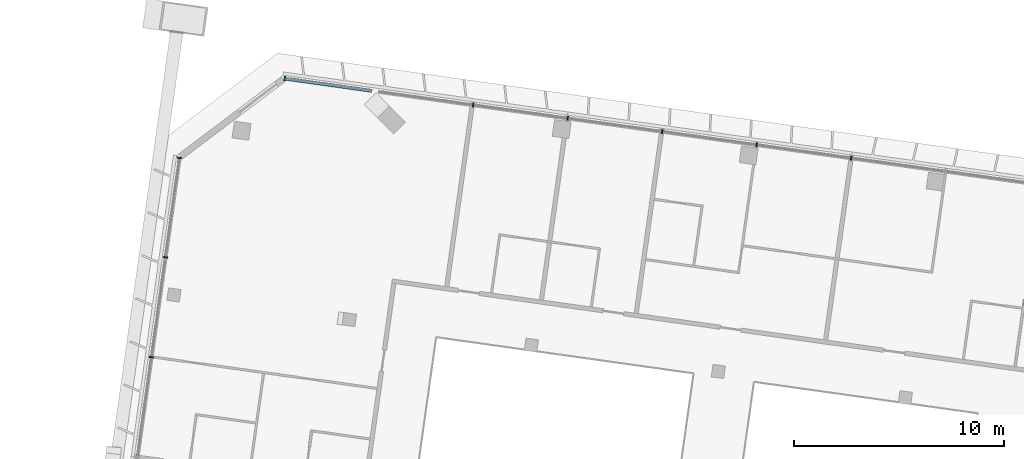
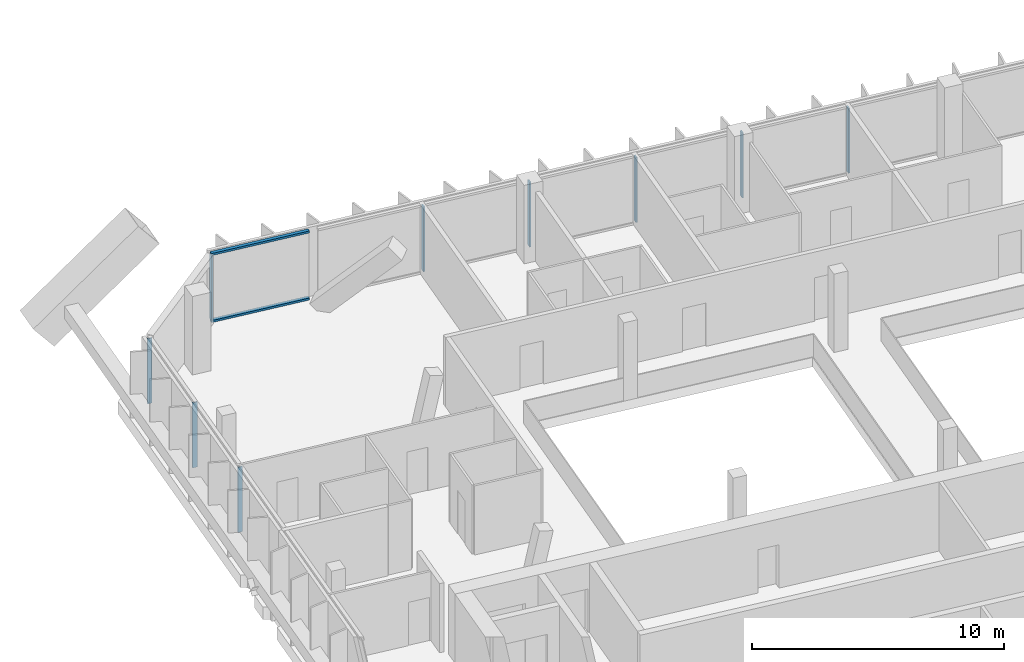
# One storey, part 4 of 32: 11 members, 2 elements without a shape of their own.
"""IFC4 building model written with IfcOpenShell, lengths in metres."""

from ifc_helpers import new_model, si_unit, direction, frame, origin, origin_2d, place, context, subcontext, project, spatial, rectangle, extrude, material, material_profile, profile_set, type_object, element, aggregate, save


model = new_model("IFC4")

# Units and contexts
model_context = context("Model", 3, precision=1e-05, world=origin(), true_north=direction((0.0, 1.0)))
body_context = subcontext(model_context, "Body", "Model", "MODEL_VIEW")
ifc_project = project(units=[si_unit("LENGTHUNIT", "METRE"), si_unit("AREAUNIT", "SQUARE_METRE"), si_unit("VOLUMEUNIT", "CUBIC_METRE"), si_unit("PLANEANGLEUNIT", "RADIAN"), si_unit("MASSUNIT", "GRAM", prefix="KILO")], contexts=[model_context])

# Site, building, storey
site_placement = place(None, origin())
site = spatial("IfcSite", under=ifc_project, at=site_placement, CompositionType="ELEMENT")
building_placement = place(site_placement, origin())
building = spatial("IfcBuilding", under=site, at=building_placement, Name="Mirante Cascada Hotel Towers", CompositionType="ELEMENT")
storey_placement = place(building_placement, frame((0.0, 0.0, 176.4)))
storey = spatial("IfcBuildingStorey", under=building, at=storey_placement, Name="L41", CompositionType="ELEMENT", Elevation=176.4)

# Curtain wall, members
ifc_material_1 = material(Name="Aluminium mullion and transom frame with clear laminated glass", Category="aluminium")
curtain_wall_type_1 = type_object("IfcCurtainWallType", Name="Ribbon curtain wall ECW1", PredefinedType="NOTDEFINED", material=ifc_material_1)
curtain_wall_1_placement = place(storey_placement, origin())
curtain_wall_1 = element("IfcCurtainWall", 1, at=curtain_wall_1_placement, inside=storey, type_object=curtain_wall_type_1, Name="Front ribbon wall T1 L41", PredefinedType="NOTDEFINED")
ifc_material_2 = material(Name="Anodised aluminium extrusion", Category="aluminium")
ifc_material_profile_1 = material_profile(ifc_material_2, rectangle(XDim=0.2, YDim=0.065, at=origin_2d()), Name="ECW1 MULLION 65x200")
ifc_profile_set_1 = profile_set([ifc_material_profile_1], Name="Anodised aluminium extrusion")
member_type_1 = type_object("IfcMemberType", Name="ECW1 mullion 65x200", PredefinedType="MULLION", material=ifc_profile_set_1)
member_1_placement = place(storey_placement, frame((-85.2136, 24.795, 0.1), z_axis=(0.0, 0.0, 1.0), x_axis=(0.1391731, 0.9902681, 0.0)))
member_1 = element("IfcMember", 2, at=member_1_placement, type_object=member_type_1, Name="ECW1 mullion 1", PredefinedType="MULLION", context=body_context, shape_type="SweptSolid", body=[
    extrude(rectangle(XDim=0.2, YDim=0.065, at=origin_2d()), origin(), (0.0, 0.0, 1.0), 3.15),
])
member_2_placement = place(storey_placement, frame((-76.2366, 23.5334, 0.1), z_axis=(0.0, 0.0, 1.0), x_axis=(0.1391731, 0.9902681, 0.0)))
member_2 = element("IfcMember", 3, at=member_2_placement, type_object=member_type_1, Name="ECW1 mullion 3", PredefinedType="MULLION", context=body_context, shape_type="SweptSolid", body=[
    extrude(rectangle(XDim=0.2, YDim=0.065, at=origin_2d()), origin(), (0.0, 0.0, 1.0), 3.15),
])
member_3_placement = place(storey_placement, frame((-71.7321, 22.9003, 0.1), z_axis=(0.0, 0.0, 1.0), x_axis=(0.1391731, 0.9902681, 0.0)))
member_3 = element("IfcMember", 4, at=member_3_placement, type_object=member_type_1, Name="ECW1 mullion 4", PredefinedType="MULLION", context=body_context, shape_type="SweptSolid", body=[
    extrude(rectangle(XDim=0.2, YDim=0.065, at=origin_2d()), origin(), (0.0, 0.0, 1.0), 3.15),
])
member_4_placement = place(storey_placement, frame((-67.2275, 22.2672, 0.1), z_axis=(0.0, 0.0, 1.0), x_axis=(0.1391731, 0.9902681, 0.0)))
member_4 = element("IfcMember", 5, at=member_4_placement, type_object=member_type_1, Name="ECW1 mullion 5", PredefinedType="MULLION", context=body_context, shape_type="SweptSolid", body=[
    extrude(rectangle(XDim=0.2, YDim=0.065, at=origin_2d()), origin(), (0.0, 0.0, 1.0), 3.15),
])
member_5_placement = place(storey_placement, frame((-62.723, 21.6342, 0.1), z_axis=(0.0, 0.0, 1.0), x_axis=(0.1391731, 0.9902681, 0.0)))
member_5 = element("IfcMember", 6, at=member_5_placement, type_object=member_type_1, Name="ECW1 mullion 6", PredefinedType="MULLION", context=body_context, shape_type="SweptSolid", body=[
    extrude(rectangle(XDim=0.2, YDim=0.065, at=origin_2d()), origin(), (0.0, 0.0, 1.0), 3.15),
])
member_6_placement = place(storey_placement, frame((-58.2184, 21.0011, 0.1), z_axis=(0.0, 0.0, 1.0), x_axis=(0.1391731, 0.9902681, 0.0)))
member_6 = element("IfcMember", 7, at=member_6_placement, type_object=member_type_1, Name="ECW1 mullion 7", PredefinedType="MULLION", context=body_context, shape_type="SweptSolid", body=[
    extrude(rectangle(XDim=0.2, YDim=0.065, at=origin_2d()), origin(), (0.0, 0.0, 1.0), 3.15),
])
ifc_material_3 = material(Name="Anodised aluminium extrusion", Category="aluminium")
ifc_material_profile_2 = material_profile(ifc_material_3, rectangle(XDim=0.16, YDim=0.1, at=origin_2d()), Name="ECW1 TRANSOM 100x160")
ifc_profile_set_2 = profile_set([ifc_material_profile_2], Name="Anodised aluminium extrusion")
member_type_2 = type_object("IfcMemberType", Name="ECW1 transom 100x160", PredefinedType="USERDEFINED", material=ifc_profile_set_2)
member_7_placement = place(storey_placement, frame((-85.2457, 24.7995, 0.05), z_axis=(0.9902683, -0.1391714, 0.0), x_axis=(0.1391714, 0.9902683, 0.0)))
member_7 = element("IfcMember", 8, at=member_7_placement, type_object=member_type_2, Name="ECW1 sill transom", ObjectType="TRANSOM", PredefinedType="USERDEFINED", context=body_context, shape_type="SweptSolid", body=[
    extrude(rectangle(XDim=0.16, YDim=0.1, at=origin_2d()), origin(), (0.0, 0.0, 1.0), 4.207),
])
member_8_placement = place(storey_placement, frame((-85.2457, 24.7995, 3.3), z_axis=(0.9902683, -0.1391714, 0.0), x_axis=(0.1391714, 0.9902683, 0.0)))
member_8 = element("IfcMember", 9, at=member_8_placement, type_object=member_type_2, Name="ECW1 head transom", ObjectType="TRANSOM", PredefinedType="USERDEFINED", context=body_context, shape_type="SweptSolid", body=[
    extrude(rectangle(XDim=0.16, YDim=0.1, at=origin_2d()), origin(), (0.0, 0.0, 1.0), 4.207),
])
aggregate(curtain_wall_1, [member_7, member_8, member_1, member_2, member_3, member_4, member_5, member_6])

ifc_material_4 = material(Name="Aluminium mullion and transom frame with clear laminated glass", Category="aluminium")
curtain_wall_type_2 = type_object("IfcCurtainWallType", Name="End ribbon curtain wall ECW2", PredefinedType="NOTDEFINED", material=ifc_material_4)
curtain_wall_2_placement = place(storey_placement, origin())
curtain_wall_2 = element("IfcCurtainWall", 10, at=curtain_wall_2_placement, inside=storey, type_object=curtain_wall_type_2, Name="Outer end wall T1 L41", PredefinedType="NOTDEFINED")
ifc_material_5 = material(Name="Anodised aluminium extrusion", Category="aluminium")
ifc_material_profile_3 = material_profile(ifc_material_5, rectangle(XDim=0.2, YDim=0.065, at=origin_2d()), Name="ECW2 MULLION 65x200")
ifc_profile_set_3 = profile_set([ifc_material_profile_3], Name="Anodised aluminium extrusion")
member_type_3 = type_object("IfcMemberType", Name="ECW2 mullion 65x200", PredefinedType="MULLION", material=ifc_profile_set_3)
member_9_placement = place(storey_placement, frame((-91.5686, 11.5128, 0.1), z_axis=(0.0, 0.0, 1.0), x_axis=(-0.9902681, 0.1391731, 0.0)))
member_9 = element("IfcMember", 11, at=member_9_placement, type_object=member_type_3, Name="ECW2 mullion 5", PredefinedType="MULLION", context=body_context, shape_type="SweptSolid", body=[
    extrude(rectangle(XDim=0.2, YDim=0.065, at=origin_2d()), origin(), (0.0, 0.0, 1.0), 3.15),
])
member_10_placement = place(storey_placement, frame((-90.8988, 16.2786, 0.1), z_axis=(0.0, 0.0, 1.0), x_axis=(-0.9902681, 0.1391731, 0.0)))
member_10 = element("IfcMember", 12, at=member_10_placement, type_object=member_type_3, Name="ECW2 mullion 6", PredefinedType="MULLION", context=body_context, shape_type="SweptSolid", body=[
    extrude(rectangle(XDim=0.2, YDim=0.065, at=origin_2d()), origin(), (0.0, 0.0, 1.0), 3.15),
])
member_11_placement = place(storey_placement, frame((-90.2335, 21.0122, 0.1), z_axis=(0.0, 0.0, 1.0), x_axis=(-0.9902681, 0.1391731, 0.0)))
member_11 = element("IfcMember", 13, at=member_11_placement, type_object=member_type_3, Name="ECW2 mullion 7", PredefinedType="MULLION", context=body_context, shape_type="SweptSolid", body=[
    extrude(rectangle(XDim=0.2, YDim=0.065, at=origin_2d()), origin(), (0.0, 0.0, 1.0), 3.15),
])
aggregate(curtain_wall_2, [member_9, member_10, member_11])

save(model, "model.ifc")
